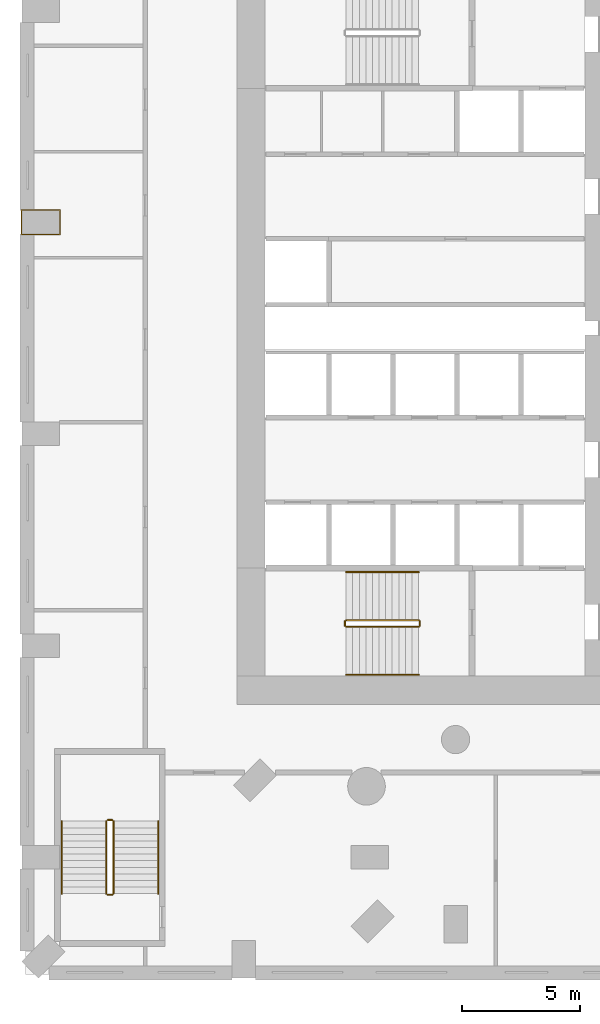
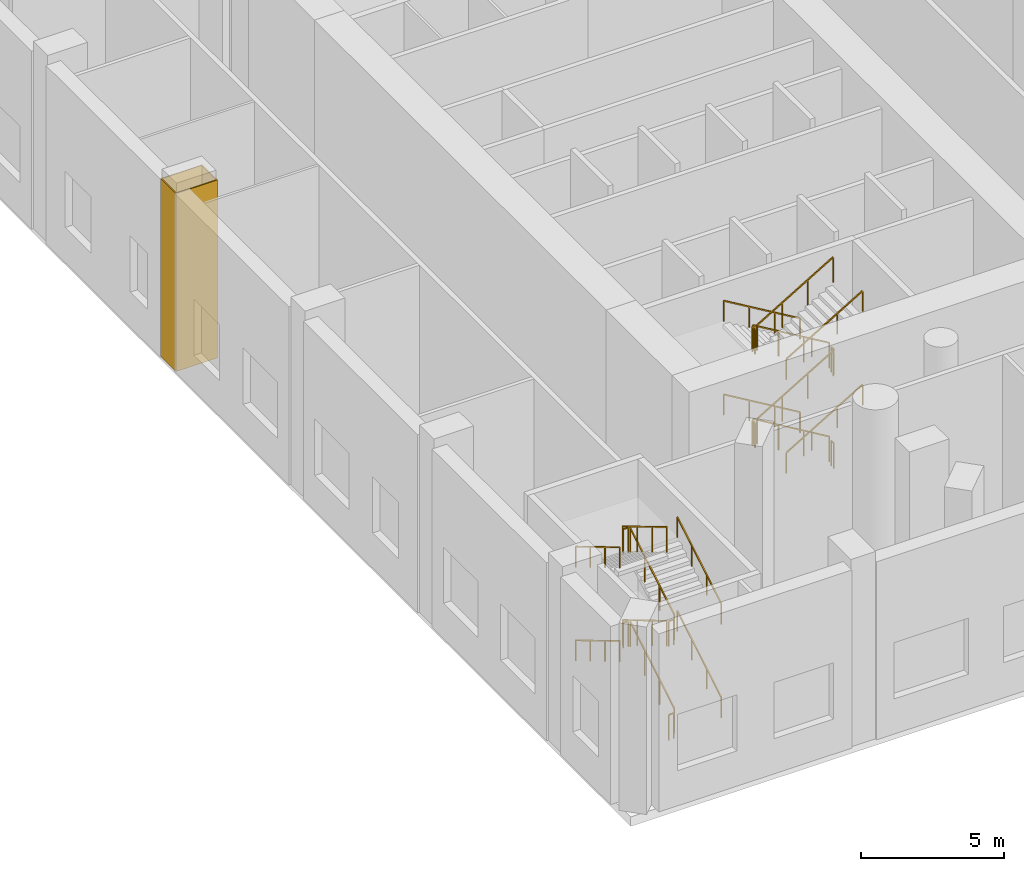
# One storey, part 15 of 18: 24 railings, 1 covering.
"""IFC4 building model written with IfcOpenShell, lengths in metres."""

from ifc_helpers import new_model, si_unit, direction, frame, origin, origin_2d, place, context, subcontext, project, spatial, polyline, rectangle, outline, extrude, material, layer, layer_set, type_object, element, save


model = new_model("IFC4")

# Units and contexts
model_context = context("Model", 3, precision=1e-05, world=origin(), true_north=direction((0.0, 1.0)))
body_context = subcontext(model_context, "Body", "Model", "MODEL_VIEW")
ifc_project = project(units=[si_unit("LENGTHUNIT", "METRE"), si_unit("AREAUNIT", "SQUARE_METRE"), si_unit("VOLUMEUNIT", "CUBIC_METRE"), si_unit("PLANEANGLEUNIT", "RADIAN"), si_unit("MASSUNIT", "GRAM", prefix="KILO")], contexts=[model_context])

# Site, building, storey
site_placement = place(None, origin())
site = spatial("IfcSite", under=ifc_project, at=site_placement, CompositionType="ELEMENT")
building_placement = place(site_placement, origin())
building = spatial("IfcBuilding", under=site, at=building_placement, Name="Cypress Arch Tower", CompositionType="ELEMENT")
storey_placement = place(building_placement, frame((0.0, 0.0, 36.0)))
storey = spatial("IfcBuildingStorey", under=building, at=storey_placement, Name="L04", CompositionType="ELEMENT", Elevation=36.0)

# Covering
ifc_material_1 = material(Name="Painted plasterboard column casing")
ifc_layer = layer(ifc_material_1, 0.0400390625)
ifc_layer_set = layer_set([ifc_layer], Name="Column casing CK40")
covering_type = type_object("IfcCoveringType", Name="Column casing CK40", PredefinedType="CLADDING", material=ifc_layer_set)
covering_placement = place(storey_placement, origin())
element("IfcCovering", 1, at=covering_placement, inside=storey, type_object=covering_type, Name="Column casing L04 CP26", PredefinedType="CLADDING", context=body_context, shape_type="SweptSolid", body=[
    extrude(outline(polyline([(-39.18994140625, 5.0400390625), (-37.510009765625, 5.0400390625), (-37.510009765625, 3.9599609375), (-39.18994140625, 3.9599609375), (-39.18994140625, 5.0400390625)]), holes=[polyline([(-39.14990234375, 5.0), (-39.14990234375, 4.0), (-37.550048828125, 4.0), (-37.550048828125, 5.0), (-39.14990234375, 5.0)])]), origin(), (0.0, 0.0, 1.0), 7.597900390625),
])

# Railings
ifc_material_2 = material(Name="Black powder-coated steel square bar 48 mm", Category="steel")
railing_type_1 = type_object("IfcRailingType", Name="Stair handrail HR1", PredefinedType="HANDRAIL", material=ifc_material_2)
railing_1_placement = place(storey_placement, frame((-22.27490234375, -10.375, 0.166748046875)))
element("IfcRailing", 2, at=railing_1_placement, inside=storey, type_object=railing_type_1, Name="L04 A stair handrail 1", PredefinedType="HANDRAIL", context=body_context, shape_type="SweptSolid", body=[
    extrude(rectangle(XDim=0.048095703125, YDim=0.048095703125, at=origin_2d()), frame((0.0, 0.0, 0.8759765625), z_axis=(-0.859308565015, 0.0, 0.511457515432), x_axis=(0.0, -1.0, 0.0)), (0.0, 0.0, 1.0), 3.58447265625),
    extrude(rectangle(XDim=0.0419921875, YDim=0.0419921875, at=origin_2d()), origin(), (0.0, 0.0, 1.0), 0.851806640625),
    extrude(rectangle(XDim=0.0419921875, YDim=0.0419921875, at=origin_2d()), frame((-1.026611328125, 0.0, 0.611083984375)), (0.0, 0.0, 1.0), 0.851806640625),
    extrude(rectangle(XDim=0.0419921875, YDim=0.0419921875, at=origin_2d()), frame((-2.053466796875, 0.0, 1.22216796875)), (0.0, 0.0, 1.0), 0.851806640625),
    extrude(rectangle(XDim=0.0419921875, YDim=0.0419921875, at=origin_2d()), frame((-3.080078125, 0.0, 1.833251953125)), (0.0, 0.0, 1.0), 0.851806640625),
])
railing_2_placement = place(storey_placement, frame((-25.35498046875, -14.75, 2.166748046875)))
element("IfcRailing", 3, at=railing_2_placement, inside=storey, type_object=railing_type_1, Name="L04 A stair handrail 2", PredefinedType="HANDRAIL", context=body_context, shape_type="SweptSolid", body=[
    extrude(rectangle(XDim=0.048095703125, YDim=0.048095703125, at=origin_2d()), frame((0.0, 0.0, 0.8759765625), z_axis=(0.859308565015, 0.0, 0.511457515432), x_axis=(0.0, 1.0, 0.0)), (0.0, 0.0, 1.0), 3.58447265625),
    extrude(rectangle(XDim=0.0419921875, YDim=0.0419921875, at=origin_2d()), origin(), (0.0, 0.0, 1.0), 0.851806640625),
    extrude(rectangle(XDim=0.0419921875, YDim=0.0419921875, at=origin_2d()), frame((1.026611328125, 0.0, 0.611083984375)), (0.0, 0.0, 1.0), 0.851806640625),
    extrude(rectangle(XDim=0.0419921875, YDim=0.0419921875, at=origin_2d()), frame((2.053466796875, 0.0, 1.22216796875)), (0.0, 0.0, 1.0), 0.851806640625),
    extrude(rectangle(XDim=0.0419921875, YDim=0.0419921875, at=origin_2d()), frame((3.080078125, 0.0, 1.833251953125)), (0.0, 0.0, 1.0), 0.851806640625),
])
railing_3_placement = place(storey_placement, frame((-22.27490234375, -10.375, 4.166748046875)))
element("IfcRailing", 4, at=railing_3_placement, inside=storey, type_object=railing_type_1, Name="L04 A stair handrail 3", PredefinedType="HANDRAIL", context=body_context, shape_type="SweptSolid", body=[
    extrude(rectangle(XDim=0.048095703125, YDim=0.048095703125, at=origin_2d()), frame((0.0, 0.0, 0.8759765625), z_axis=(-0.859308565015, 0.0, 0.511457515432), x_axis=(0.0, -1.0, 0.0)), (0.0, 0.0, 1.0), 3.58447265625),
    extrude(rectangle(XDim=0.0419921875, YDim=0.0419921875, at=origin_2d()), origin(), (0.0, 0.0, 1.0), 0.851806640625),
    extrude(rectangle(XDim=0.0419921875, YDim=0.0419921875, at=origin_2d()), frame((-1.026611328125, 0.0, 0.611083984375)), (0.0, 0.0, 1.0), 0.851806640625),
    extrude(rectangle(XDim=0.0419921875, YDim=0.0419921875, at=origin_2d()), frame((-2.053466796875, 0.0, 1.22216796875)), (0.0, 0.0, 1.0), 0.851806640625),
    extrude(rectangle(XDim=0.0419921875, YDim=0.0419921875, at=origin_2d()), frame((-3.080078125, 0.0, 1.833251953125)), (0.0, 0.0, 1.0), 0.851806640625),
])
railing_4_placement = place(storey_placement, frame((-25.35498046875, -14.75, 6.166748046875)))
element("IfcRailing", 5, at=railing_4_placement, inside=storey, type_object=railing_type_1, Name="L04 A stair handrail 4", PredefinedType="HANDRAIL", context=body_context, shape_type="SweptSolid", body=[
    extrude(rectangle(XDim=0.048095703125, YDim=0.048095703125, at=origin_2d()), frame((0.0, 0.0, 0.8759765625), z_axis=(0.859308565015, 0.0, 0.511457515432), x_axis=(0.0, 1.0, 0.0)), (0.0, 0.0, 1.0), 3.58447265625),
    extrude(rectangle(XDim=0.0419921875, YDim=0.0419921875, at=origin_2d()), origin(), (0.0, 0.0, 1.0), 0.851806640625),
    extrude(rectangle(XDim=0.0419921875, YDim=0.0419921875, at=origin_2d()), frame((1.026611328125, 0.0, 0.611083984375)), (0.0, 0.0, 1.0), 0.851806640625),
    extrude(rectangle(XDim=0.0419921875, YDim=0.0419921875, at=origin_2d()), frame((2.053466796875, 0.0, 1.22216796875)), (0.0, 0.0, 1.0), 0.851806640625),
    extrude(rectangle(XDim=0.0419921875, YDim=0.0419921875, at=origin_2d()), frame((3.080078125, 0.0, 1.833251953125)), (0.0, 0.0, 1.0), 0.851806640625),
])
railing_5_placement = place(storey_placement, frame((-33.35009765625, -24.050048828125, 0.166748046875)))
element("IfcRailing", 6, at=railing_5_placement, inside=storey, type_object=railing_type_1, Name="L04 P1 stair handrail 1", PredefinedType="HANDRAIL", context=body_context, shape_type="SweptSolid", body=[
    extrude(rectangle(XDim=0.048095703125, YDim=0.048095703125, at=origin_2d()), frame((0.0, 0.0, 0.8759765625), z_axis=(0.0, 0.859308565015, 0.511457515432), x_axis=(-1.0, 0.0, 0.0)), (0.0, 0.0, 1.0), 3.58447265625),
    extrude(rectangle(XDim=0.0419921875, YDim=0.0419921875, at=origin_2d()), origin(), (0.0, 0.0, 1.0), 0.851806640625),
    extrude(rectangle(XDim=0.0419921875, YDim=0.0419921875, at=origin_2d()), frame((0.0, 1.026611328125, 0.611083984375)), (0.0, 0.0, 1.0), 0.851806640625),
    extrude(rectangle(XDim=0.0419921875, YDim=0.0419921875, at=origin_2d()), frame((0.0, 2.053466796875, 1.22216796875)), (0.0, 0.0, 1.0), 0.851806640625),
    extrude(rectangle(XDim=0.0419921875, YDim=0.0419921875, at=origin_2d()), frame((0.0, 3.080078125, 1.833251953125)), (0.0, 0.0, 1.0), 0.851806640625),
])
railing_6_placement = place(storey_placement, frame((-37.449951171875, -20.969970703125, 2.166748046875)))
element("IfcRailing", 7, at=railing_6_placement, inside=storey, type_object=railing_type_1, Name="L04 P1 stair handrail 2", PredefinedType="HANDRAIL", context=body_context, shape_type="SweptSolid", body=[
    extrude(rectangle(XDim=0.048095703125, YDim=0.048095703125, at=origin_2d()), frame((0.0, 0.0, 0.8759765625), z_axis=(0.0, -0.859308565015, 0.511457515432), x_axis=(1.0, 0.0, 0.0)), (0.0, 0.0, 1.0), 3.58447265625),
    extrude(rectangle(XDim=0.0419921875, YDim=0.0419921875, at=origin_2d()), origin(), (0.0, 0.0, 1.0), 0.851806640625),
    extrude(rectangle(XDim=0.0419921875, YDim=0.0419921875, at=origin_2d()), frame((0.0, -1.026611328125, 0.611083984375)), (0.0, 0.0, 1.0), 0.851806640625),
    extrude(rectangle(XDim=0.0419921875, YDim=0.0419921875, at=origin_2d()), frame((0.0, -2.053466796875, 1.22216796875)), (0.0, 0.0, 1.0), 0.851806640625),
    extrude(rectangle(XDim=0.0419921875, YDim=0.0419921875, at=origin_2d()), frame((0.0, -3.080078125, 1.833251953125)), (0.0, 0.0, 1.0), 0.851806640625),
])
railing_7_placement = place(storey_placement, frame((-33.35009765625, -24.050048828125, 4.166748046875)))
element("IfcRailing", 8, at=railing_7_placement, inside=storey, type_object=railing_type_1, Name="L04 P1 stair handrail 3", PredefinedType="HANDRAIL", context=body_context, shape_type="SweptSolid", body=[
    extrude(rectangle(XDim=0.048095703125, YDim=0.048095703125, at=origin_2d()), frame((0.0, 0.0, 0.8759765625), z_axis=(0.0, 0.859308565015, 0.511457515432), x_axis=(-1.0, 0.0, 0.0)), (0.0, 0.0, 1.0), 3.58447265625),
    extrude(rectangle(XDim=0.0419921875, YDim=0.0419921875, at=origin_2d()), origin(), (0.0, 0.0, 1.0), 0.851806640625),
    extrude(rectangle(XDim=0.0419921875, YDim=0.0419921875, at=origin_2d()), frame((0.0, 1.026611328125, 0.611083984375)), (0.0, 0.0, 1.0), 0.851806640625),
    extrude(rectangle(XDim=0.0419921875, YDim=0.0419921875, at=origin_2d()), frame((0.0, 2.053466796875, 1.22216796875)), (0.0, 0.0, 1.0), 0.851806640625),
    extrude(rectangle(XDim=0.0419921875, YDim=0.0419921875, at=origin_2d()), frame((0.0, 3.080078125, 1.833251953125)), (0.0, 0.0, 1.0), 0.851806640625),
])
railing_8_placement = place(storey_placement, frame((-37.449951171875, -20.969970703125, 6.166748046875)))
element("IfcRailing", 9, at=railing_8_placement, inside=storey, type_object=railing_type_1, Name="L04 P1 stair handrail 4", PredefinedType="HANDRAIL", context=body_context, shape_type="SweptSolid", body=[
    extrude(rectangle(XDim=0.048095703125, YDim=0.048095703125, at=origin_2d()), frame((0.0, 0.0, 0.8759765625), z_axis=(0.0, -0.859308565015, 0.511457515432), x_axis=(1.0, 0.0, 0.0)), (0.0, 0.0, 1.0), 3.58447265625),
    extrude(rectangle(XDim=0.0419921875, YDim=0.0419921875, at=origin_2d()), origin(), (0.0, 0.0, 1.0), 0.851806640625),
    extrude(rectangle(XDim=0.0419921875, YDim=0.0419921875, at=origin_2d()), frame((0.0, -1.026611328125, 0.611083984375)), (0.0, 0.0, 1.0), 0.851806640625),
    extrude(rectangle(XDim=0.0419921875, YDim=0.0419921875, at=origin_2d()), frame((0.0, -2.053466796875, 1.22216796875)), (0.0, 0.0, 1.0), 0.851806640625),
    extrude(rectangle(XDim=0.0419921875, YDim=0.0419921875, at=origin_2d()), frame((0.0, -3.080078125, 1.833251953125)), (0.0, 0.0, 1.0), 0.851806640625),
])
ifc_material_3 = material(Name="Black powder-coated steel balusters", Category="steel")
railing_type_2 = type_object("IfcRailingType", Name="Stair well guard G1", PredefinedType="GUARDRAIL", material=ifc_material_3)
railing_9_placement = place(storey_placement, frame((-22.27490234375, -12.425048828125, 0.166748046875)))
element("IfcRailing", 10, at=railing_9_placement, inside=storey, type_object=railing_type_2, Name="L04 A stair guard 1", PredefinedType="GUARDRAIL", context=body_context, shape_type="SweptSolid", body=[
    extrude(rectangle(XDim=0.048095703125, YDim=0.048095703125, at=origin_2d()), frame((0.0, 0.0, 1.076171875), z_axis=(-0.859308565015, 0.0, 0.511457515432), x_axis=(0.0, -1.0, 0.0)), (0.0, 0.0, 1.0), 3.58447265625),
    extrude(rectangle(XDim=0.0419921875, YDim=0.0419921875, at=origin_2d()), origin(), (0.0, 0.0, 1.0), 1.052001953125),
    extrude(rectangle(XDim=0.0419921875, YDim=0.0419921875, at=origin_2d()), frame((-1.026611328125, 0.0, 0.611083984375)), (0.0, 0.0, 1.0), 1.052001953125),
    extrude(rectangle(XDim=0.0419921875, YDim=0.0419921875, at=origin_2d()), frame((-2.053466796875, 0.0, 1.22216796875)), (0.0, 0.0, 1.0), 1.052001953125),
    extrude(rectangle(XDim=0.0419921875, YDim=0.0419921875, at=origin_2d()), frame((-3.080078125, 0.0, 1.833251953125)), (0.0, 0.0, 1.0), 1.052001953125),
])
railing_10_placement = place(storey_placement, frame((-25.405029296875, -12.47509765625, 2.0)))
element("IfcRailing", 11, at=railing_10_placement, inside=storey, type_object=railing_type_2, Name="L04 A stair guard 2", PredefinedType="GUARDRAIL", context=body_context, shape_type="SweptSolid", body=[
    extrude(rectangle(XDim=0.048095703125, YDim=0.048095703125, at=origin_2d()), frame((0.0, 0.0, 1.076171875), z_axis=(0.0, -1.0, 0.0), x_axis=(1.0, 0.0, 0.0)), (0.0, 0.0, 1.0), 0.1748046875),
    extrude(rectangle(XDim=0.0419921875, YDim=0.0419921875, at=origin_2d()), origin(), (0.0, 0.0, 1.0), 1.052001953125),
    extrude(rectangle(XDim=0.0419921875, YDim=0.0419921875, at=origin_2d()), frame((0.0, -0.1748046875, 0.0)), (0.0, 0.0, 1.0), 1.052001953125),
])
railing_11_placement = place(storey_placement, frame((-25.35498046875, -12.699951171875, 2.166748046875)))
element("IfcRailing", 12, at=railing_11_placement, inside=storey, type_object=railing_type_2, Name="L04 A stair guard 3", PredefinedType="GUARDRAIL", context=body_context, shape_type="SweptSolid", body=[
    extrude(rectangle(XDim=0.048095703125, YDim=0.048095703125, at=origin_2d()), frame((0.0, 0.0, 1.076171875), z_axis=(0.859308565015, 0.0, 0.511457515432), x_axis=(0.0, 1.0, 0.0)), (0.0, 0.0, 1.0), 3.58447265625),
    extrude(rectangle(XDim=0.0419921875, YDim=0.0419921875, at=origin_2d()), origin(), (0.0, 0.0, 1.0), 1.052001953125),
    extrude(rectangle(XDim=0.0419921875, YDim=0.0419921875, at=origin_2d()), frame((1.026611328125, 0.0, 0.611083984375)), (0.0, 0.0, 1.0), 1.052001953125),
    extrude(rectangle(XDim=0.0419921875, YDim=0.0419921875, at=origin_2d()), frame((2.053466796875, 0.0, 1.22216796875)), (0.0, 0.0, 1.0), 1.052001953125),
    extrude(rectangle(XDim=0.0419921875, YDim=0.0419921875, at=origin_2d()), frame((3.080078125, 0.0, 1.833251953125)), (0.0, 0.0, 1.0), 1.052001953125),
])
railing_12_placement = place(storey_placement, frame((-22.22509765625, -12.47509765625, 4.0)))
element("IfcRailing", 13, at=railing_12_placement, inside=storey, type_object=railing_type_2, Name="L04 A stair guard 4", PredefinedType="GUARDRAIL", context=body_context, shape_type="SweptSolid", body=[
    extrude(rectangle(XDim=0.048095703125, YDim=0.048095703125, at=origin_2d()), frame((0.0, 0.0, 1.076171875), z_axis=(0.0, -1.0, 0.0), x_axis=(1.0, 0.0, 0.0)), (0.0, 0.0, 1.0), 0.1748046875),
    extrude(rectangle(XDim=0.0419921875, YDim=0.0419921875, at=origin_2d()), origin(), (0.0, 0.0, 1.0), 1.052001953125),
    extrude(rectangle(XDim=0.0419921875, YDim=0.0419921875, at=origin_2d()), frame((0.0, -0.1748046875, 0.0)), (0.0, 0.0, 1.0), 1.052001953125),
])
railing_13_placement = place(storey_placement, frame((-22.27490234375, -12.425048828125, 4.166748046875)))
element("IfcRailing", 14, at=railing_13_placement, inside=storey, type_object=railing_type_2, Name="L04 A stair guard 5", PredefinedType="GUARDRAIL", context=body_context, shape_type="SweptSolid", body=[
    extrude(rectangle(XDim=0.048095703125, YDim=0.048095703125, at=origin_2d()), frame((0.0, 0.0, 1.076171875), z_axis=(-0.859308565015, 0.0, 0.511457515432), x_axis=(0.0, -1.0, 0.0)), (0.0, 0.0, 1.0), 3.58447265625),
    extrude(rectangle(XDim=0.0419921875, YDim=0.0419921875, at=origin_2d()), origin(), (0.0, 0.0, 1.0), 1.052001953125),
    extrude(rectangle(XDim=0.0419921875, YDim=0.0419921875, at=origin_2d()), frame((-1.026611328125, 0.0, 0.611083984375)), (0.0, 0.0, 1.0), 1.052001953125),
    extrude(rectangle(XDim=0.0419921875, YDim=0.0419921875, at=origin_2d()), frame((-2.053466796875, 0.0, 1.22216796875)), (0.0, 0.0, 1.0), 1.052001953125),
    extrude(rectangle(XDim=0.0419921875, YDim=0.0419921875, at=origin_2d()), frame((-3.080078125, 0.0, 1.833251953125)), (0.0, 0.0, 1.0), 1.052001953125),
])
railing_14_placement = place(storey_placement, frame((-25.405029296875, -12.47509765625, 6.0)))
element("IfcRailing", 15, at=railing_14_placement, inside=storey, type_object=railing_type_2, Name="L04 A stair guard 6", PredefinedType="GUARDRAIL", context=body_context, shape_type="SweptSolid", body=[
    extrude(rectangle(XDim=0.048095703125, YDim=0.048095703125, at=origin_2d()), frame((0.0, 0.0, 1.076171875), z_axis=(0.0, -1.0, 0.0), x_axis=(1.0, 0.0, 0.0)), (0.0, 0.0, 1.0), 0.1748046875),
    extrude(rectangle(XDim=0.0419921875, YDim=0.0419921875, at=origin_2d()), origin(), (0.0, 0.0, 1.0), 1.052001953125),
    extrude(rectangle(XDim=0.0419921875, YDim=0.0419921875, at=origin_2d()), frame((0.0, -0.1748046875, 0.0)), (0.0, 0.0, 1.0), 1.052001953125),
])
railing_15_placement = place(storey_placement, frame((-25.35498046875, -12.699951171875, 6.166748046875)))
element("IfcRailing", 16, at=railing_15_placement, inside=storey, type_object=railing_type_2, Name="L04 A stair guard 7", PredefinedType="GUARDRAIL", context=body_context, shape_type="SweptSolid", body=[
    extrude(rectangle(XDim=0.048095703125, YDim=0.048095703125, at=origin_2d()), frame((0.0, 0.0, 1.076171875), z_axis=(0.859308565015, 0.0, 0.511457515432), x_axis=(0.0, 1.0, 0.0)), (0.0, 0.0, 1.0), 3.58447265625),
    extrude(rectangle(XDim=0.0419921875, YDim=0.0419921875, at=origin_2d()), origin(), (0.0, 0.0, 1.0), 1.052001953125),
    extrude(rectangle(XDim=0.0419921875, YDim=0.0419921875, at=origin_2d()), frame((1.026611328125, 0.0, 0.611083984375)), (0.0, 0.0, 1.0), 1.052001953125),
    extrude(rectangle(XDim=0.0419921875, YDim=0.0419921875, at=origin_2d()), frame((2.053466796875, 0.0, 1.22216796875)), (0.0, 0.0, 1.0), 1.052001953125),
    extrude(rectangle(XDim=0.0419921875, YDim=0.0419921875, at=origin_2d()), frame((3.080078125, 0.0, 1.833251953125)), (0.0, 0.0, 1.0), 1.052001953125),
])
railing_16_placement = place(storey_placement, frame((-22.22509765625, -12.47509765625, 0.0)))
element("IfcRailing", 17, at=railing_16_placement, inside=storey, type_object=railing_type_2, Name="L04 A stair guard 8", PredefinedType="GUARDRAIL", context=body_context, shape_type="SweptSolid", body=[
    extrude(rectangle(XDim=0.048095703125, YDim=0.048095703125, at=origin_2d()), frame((0.0, 0.0, 1.076171875), z_axis=(0.0, -1.0, 0.0), x_axis=(1.0, 0.0, 0.0)), (0.0, 0.0, 1.0), 0.1748046875),
    extrude(rectangle(XDim=0.0419921875, YDim=0.0419921875, at=origin_2d()), origin(), (0.0, 0.0, 1.0), 1.052001953125),
    extrude(rectangle(XDim=0.0419921875, YDim=0.0419921875, at=origin_2d()), frame((0.0, -0.1748046875, 0.0)), (0.0, 0.0, 1.0), 1.052001953125),
])
railing_17_placement = place(storey_placement, frame((-35.25, -24.050048828125, 0.166748046875)))
element("IfcRailing", 18, at=railing_17_placement, inside=storey, type_object=railing_type_2, Name="L04 P1 stair guard 1", PredefinedType="GUARDRAIL", context=body_context, shape_type="SweptSolid", body=[
    extrude(rectangle(XDim=0.048095703125, YDim=0.048095703125, at=origin_2d()), frame((0.0, 0.0, 1.076171875), z_axis=(0.0, 0.859308565015, 0.511457515432), x_axis=(-1.0, 0.0, 0.0)), (0.0, 0.0, 1.0), 3.58447265625),
    extrude(rectangle(XDim=0.0419921875, YDim=0.0419921875, at=origin_2d()), origin(), (0.0, 0.0, 1.0), 1.052001953125),
    extrude(rectangle(XDim=0.0419921875, YDim=0.0419921875, at=origin_2d()), frame((0.0, 1.026611328125, 0.611083984375)), (0.0, 0.0, 1.0), 1.052001953125),
    extrude(rectangle(XDim=0.0419921875, YDim=0.0419921875, at=origin_2d()), frame((0.0, 2.053466796875, 1.22216796875)), (0.0, 0.0, 1.0), 1.052001953125),
    extrude(rectangle(XDim=0.0419921875, YDim=0.0419921875, at=origin_2d()), frame((0.0, 3.080078125, 1.833251953125)), (0.0, 0.0, 1.0), 1.052001953125),
])
railing_18_placement = place(storey_placement, frame((-35.300048828125, -20.919921875, 2.0)))
element("IfcRailing", 19, at=railing_18_placement, inside=storey, type_object=railing_type_2, Name="L04 P1 stair guard 2", PredefinedType="GUARDRAIL", context=body_context, shape_type="SweptSolid", body=[
    extrude(rectangle(XDim=0.048095703125, YDim=0.048095703125, at=origin_2d()), frame((0.0, 0.0, 1.076171875), z_axis=(-1.0, 0.0, 0.0), x_axis=(0.0, -1.0, 0.0)), (0.0, 0.0, 1.0), 0.199951171875),
    extrude(rectangle(XDim=0.0419921875, YDim=0.0419921875, at=origin_2d()), origin(), (0.0, 0.0, 1.0), 1.052001953125),
    extrude(rectangle(XDim=0.0419921875, YDim=0.0419921875, at=origin_2d()), frame((-0.199951171875, 0.0, 0.0)), (0.0, 0.0, 1.0), 1.052001953125),
])
railing_19_placement = place(storey_placement, frame((-35.550048828125, -20.969970703125, 2.166748046875)))
element("IfcRailing", 20, at=railing_19_placement, inside=storey, type_object=railing_type_2, Name="L04 P1 stair guard 3", PredefinedType="GUARDRAIL", context=body_context, shape_type="SweptSolid", body=[
    extrude(rectangle(XDim=0.048095703125, YDim=0.048095703125, at=origin_2d()), frame((0.0, 0.0, 1.076171875), z_axis=(0.0, -0.859308565015, 0.511457515432), x_axis=(1.0, 0.0, 0.0)), (0.0, 0.0, 1.0), 3.58447265625),
    extrude(rectangle(XDim=0.0419921875, YDim=0.0419921875, at=origin_2d()), origin(), (0.0, 0.0, 1.0), 1.052001953125),
    extrude(rectangle(XDim=0.0419921875, YDim=0.0419921875, at=origin_2d()), frame((0.0, -1.026611328125, 0.611083984375)), (0.0, 0.0, 1.0), 1.052001953125),
    extrude(rectangle(XDim=0.0419921875, YDim=0.0419921875, at=origin_2d()), frame((0.0, -2.053466796875, 1.22216796875)), (0.0, 0.0, 1.0), 1.052001953125),
    extrude(rectangle(XDim=0.0419921875, YDim=0.0419921875, at=origin_2d()), frame((0.0, -3.080078125, 1.833251953125)), (0.0, 0.0, 1.0), 1.052001953125),
])
railing_20_placement = place(storey_placement, frame((-35.300048828125, -24.10009765625, 4.0)))
element("IfcRailing", 21, at=railing_20_placement, inside=storey, type_object=railing_type_2, Name="L04 P1 stair guard 4", PredefinedType="GUARDRAIL", context=body_context, shape_type="SweptSolid", body=[
    extrude(rectangle(XDim=0.048095703125, YDim=0.048095703125, at=origin_2d()), frame((0.0, 0.0, 1.076171875), z_axis=(-1.0, 0.0, 0.0), x_axis=(0.0, -1.0, 0.0)), (0.0, 0.0, 1.0), 0.199951171875),
    extrude(rectangle(XDim=0.0419921875, YDim=0.0419921875, at=origin_2d()), origin(), (0.0, 0.0, 1.0), 1.052001953125),
    extrude(rectangle(XDim=0.0419921875, YDim=0.0419921875, at=origin_2d()), frame((-0.199951171875, 0.0, 0.0)), (0.0, 0.0, 1.0), 1.052001953125),
])
railing_21_placement = place(storey_placement, frame((-35.25, -24.050048828125, 4.166748046875)))
element("IfcRailing", 22, at=railing_21_placement, inside=storey, type_object=railing_type_2, Name="L04 P1 stair guard 5", PredefinedType="GUARDRAIL", context=body_context, shape_type="SweptSolid", body=[
    extrude(rectangle(XDim=0.048095703125, YDim=0.048095703125, at=origin_2d()), frame((0.0, 0.0, 1.076171875), z_axis=(0.0, 0.859308565015, 0.511457515432), x_axis=(-1.0, 0.0, 0.0)), (0.0, 0.0, 1.0), 3.58447265625),
    extrude(rectangle(XDim=0.0419921875, YDim=0.0419921875, at=origin_2d()), origin(), (0.0, 0.0, 1.0), 1.052001953125),
    extrude(rectangle(XDim=0.0419921875, YDim=0.0419921875, at=origin_2d()), frame((0.0, 1.026611328125, 0.611083984375)), (0.0, 0.0, 1.0), 1.052001953125),
    extrude(rectangle(XDim=0.0419921875, YDim=0.0419921875, at=origin_2d()), frame((0.0, 2.053466796875, 1.22216796875)), (0.0, 0.0, 1.0), 1.052001953125),
    extrude(rectangle(XDim=0.0419921875, YDim=0.0419921875, at=origin_2d()), frame((0.0, 3.080078125, 1.833251953125)), (0.0, 0.0, 1.0), 1.052001953125),
])
railing_22_placement = place(storey_placement, frame((-35.300048828125, -20.919921875, 6.0)))
element("IfcRailing", 23, at=railing_22_placement, inside=storey, type_object=railing_type_2, Name="L04 P1 stair guard 6", PredefinedType="GUARDRAIL", context=body_context, shape_type="SweptSolid", body=[
    extrude(rectangle(XDim=0.048095703125, YDim=0.048095703125, at=origin_2d()), frame((0.0, 0.0, 1.076171875), z_axis=(-1.0, 0.0, 0.0), x_axis=(0.0, -1.0, 0.0)), (0.0, 0.0, 1.0), 0.199951171875),
    extrude(rectangle(XDim=0.0419921875, YDim=0.0419921875, at=origin_2d()), origin(), (0.0, 0.0, 1.0), 1.052001953125),
    extrude(rectangle(XDim=0.0419921875, YDim=0.0419921875, at=origin_2d()), frame((-0.199951171875, 0.0, 0.0)), (0.0, 0.0, 1.0), 1.052001953125),
])
railing_23_placement = place(storey_placement, frame((-35.550048828125, -20.969970703125, 6.166748046875)))
element("IfcRailing", 24, at=railing_23_placement, inside=storey, type_object=railing_type_2, Name="L04 P1 stair guard 7", PredefinedType="GUARDRAIL", context=body_context, shape_type="SweptSolid", body=[
    extrude(rectangle(XDim=0.048095703125, YDim=0.048095703125, at=origin_2d()), frame((0.0, 0.0, 1.076171875), z_axis=(0.0, -0.859308565015, 0.511457515432), x_axis=(1.0, 0.0, 0.0)), (0.0, 0.0, 1.0), 3.58447265625),
    extrude(rectangle(XDim=0.0419921875, YDim=0.0419921875, at=origin_2d()), origin(), (0.0, 0.0, 1.0), 1.052001953125),
    extrude(rectangle(XDim=0.0419921875, YDim=0.0419921875, at=origin_2d()), frame((0.0, -1.026611328125, 0.611083984375)), (0.0, 0.0, 1.0), 1.052001953125),
    extrude(rectangle(XDim=0.0419921875, YDim=0.0419921875, at=origin_2d()), frame((0.0, -2.053466796875, 1.22216796875)), (0.0, 0.0, 1.0), 1.052001953125),
    extrude(rectangle(XDim=0.0419921875, YDim=0.0419921875, at=origin_2d()), frame((0.0, -3.080078125, 1.833251953125)), (0.0, 0.0, 1.0), 1.052001953125),
])
railing_24_placement = place(storey_placement, frame((-35.300048828125, -24.10009765625, 0.0)))
element("IfcRailing", 25, at=railing_24_placement, inside=storey, type_object=railing_type_2, Name="L04 P1 stair guard 8", PredefinedType="GUARDRAIL", context=body_context, shape_type="SweptSolid", body=[
    extrude(rectangle(XDim=0.048095703125, YDim=0.048095703125, at=origin_2d()), frame((0.0, 0.0, 1.076171875), z_axis=(-1.0, 0.0, 0.0), x_axis=(0.0, -1.0, 0.0)), (0.0, 0.0, 1.0), 0.199951171875),
    extrude(rectangle(XDim=0.0419921875, YDim=0.0419921875, at=origin_2d()), origin(), (0.0, 0.0, 1.0), 1.052001953125),
    extrude(rectangle(XDim=0.0419921875, YDim=0.0419921875, at=origin_2d()), frame((-0.199951171875, 0.0, 0.0)), (0.0, 0.0, 1.0), 1.052001953125),
])

save(model, "model.ifc")
